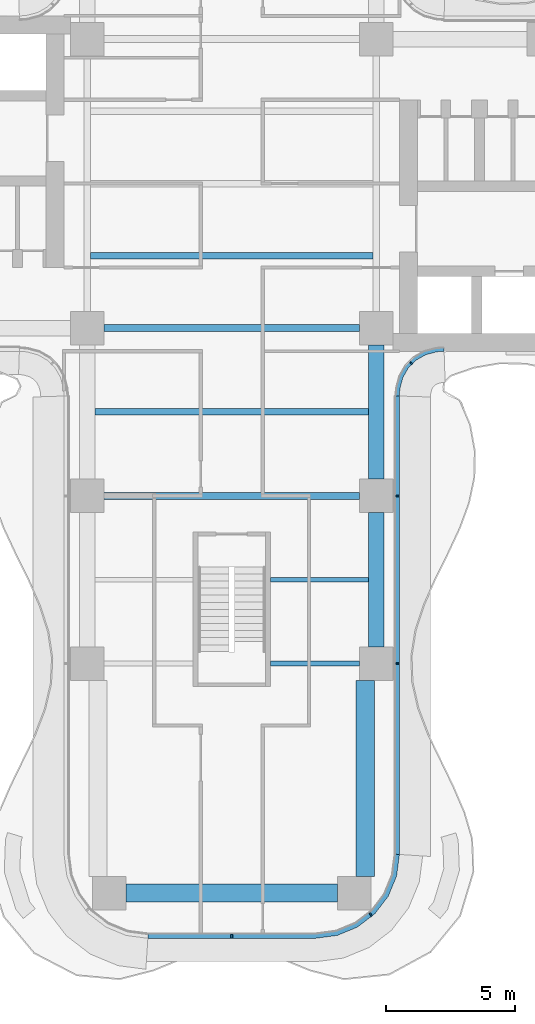
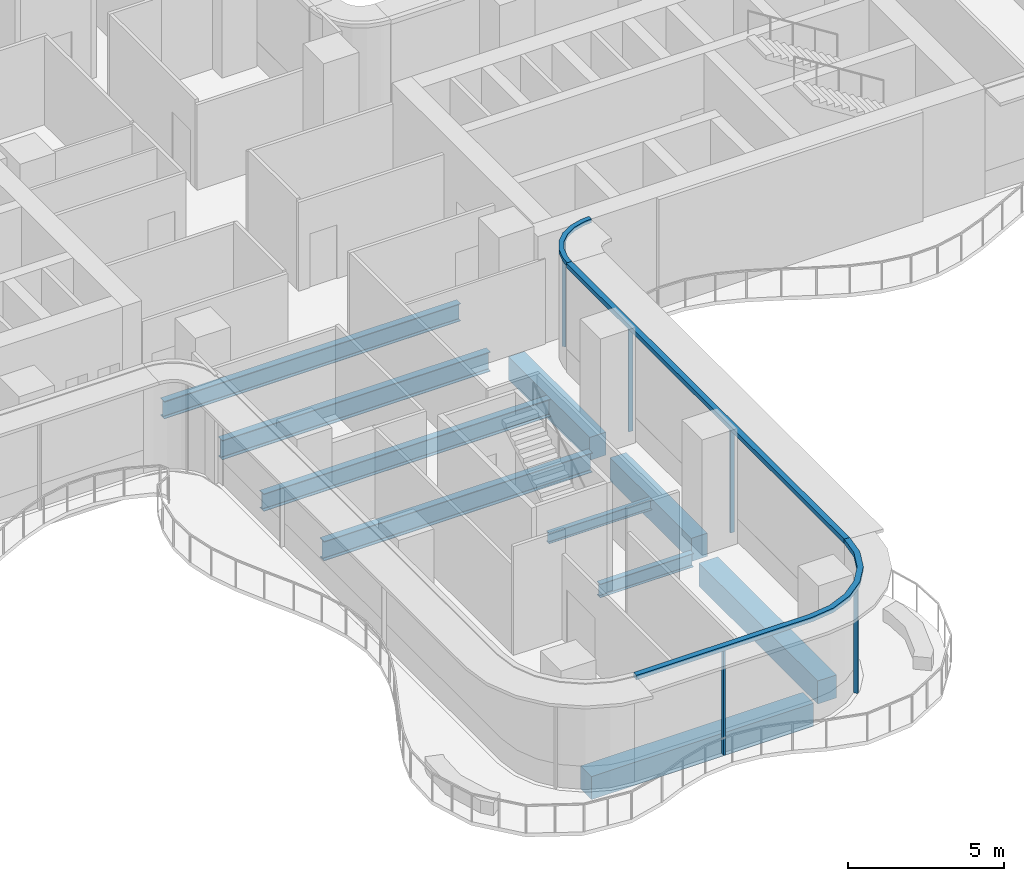
# One storey, part 5 of 21: 10 beams, 8 members, 3 elements without a shape of their own.
"""IFC4 building model written with IfcOpenShell, lengths in metres."""

from ifc_helpers import new_model, si_unit, direction, frame, origin, origin_2d, place, context, subcontext, project, spatial, polyline, rectangle, i_section, outline, extrude, source, transform, mapped, material, layer, layer_set, material_profile, profile_set, type_object, element, aggregate, save


model = new_model("IFC4")

# Units and contexts
model_context = context("Model", 3, precision=1e-05, world=origin(), true_north=direction((0.0, 1.0)))
body_context = subcontext(model_context, "Body", "Model", "MODEL_VIEW")
ifc_project = project(units=[si_unit("LENGTHUNIT", "METRE"), si_unit("AREAUNIT", "SQUARE_METRE"), si_unit("VOLUMEUNIT", "CUBIC_METRE"), si_unit("PLANEANGLEUNIT", "RADIAN"), si_unit("MASSUNIT", "GRAM", prefix="KILO")], contexts=[model_context])

# Site, building, storey
site_placement = place(None, origin())
site = spatial("IfcSite", under=ifc_project, at=site_placement, CompositionType="ELEMENT")
building_placement = place(site_placement, origin())
building = spatial("IfcBuilding", under=site, at=building_placement, Name="Trellis Farm Tower", CompositionType="ELEMENT")
storey_placement = place(building_placement, frame((0.0, 0.0, 115.5)))
storey = spatial("IfcBuildingStorey", under=building, at=storey_placement, Name="L24", CompositionType="ELEMENT", Elevation=115.5)

# Beams
ifc_material_1 = material(Name="Steel S355", Category="steel")
ifc_material_profile_1 = material_profile(ifc_material_1, i_section(OverallWidth=0.253662109375, OverallDepth=0.68359375, WebThickness=0.012451171875, FlangeThickness=0.021728515625, FilletRadius=0.01513671875, at=origin_2d()), Name="UB 686x254x140")
ifc_profile_set_1 = profile_set([ifc_material_profile_1], Name="Steel S355")
beam_type_1 = type_object("IfcBeamType", Name="UB 686x254x140 joist", PredefinedType="JOIST", material=ifc_profile_set_1)
shared_shape_1 = source(origin(), body_context, "Body", "SweptSolid", [
    extrude(i_section(OverallWidth=0.253662109375, OverallDepth=0.68359375, WebThickness=0.012451171875, FlangeThickness=0.021728515625, FilletRadius=0.01513671875, at=origin_2d()), origin(), (0.0, 0.0, 1.0), 10.93310546875),
])
beam_1_placement = place(storey_placement, frame((-5.466552734375, -2.800048828125, -0.591796875), z_axis=(1.0, 0.0, 0.0), x_axis=(0.0, 1.0, 0.0)))
element("IfcBeam", 1, at=beam_1_placement, inside=storey, type_object=beam_type_1, Name="Floor beam", PredefinedType="JOIST", context=body_context, shape_type="MappedRepresentation", body=[
    mapped(shared_shape_1, transform((0.0, 0.0, 0.0))),
])
ifc_material_profile_2 = material_profile(ifc_material_1, i_section(OverallWidth=0.177978515625, OverallDepth=0.406494140625, WebThickness=0.0078125, FlangeThickness=0.0126953125, FilletRadius=0.01025390625, at=origin_2d()), Name="UB 406x178x60")
ifc_profile_set_2 = profile_set([ifc_material_profile_2], Name="Steel S355")
beam_type_2 = type_object("IfcBeamType", Name="UB 406x178x60 joist", PredefinedType="JOIST", material=ifc_profile_set_2)
shared_shape_2 = source(origin(), body_context, "Body", "SweptSolid", [
    extrude(i_section(OverallWidth=0.177978515625, OverallDepth=0.406494140625, WebThickness=0.0078125, FlangeThickness=0.0126953125, FilletRadius=0.01025390625, at=origin_2d()), origin(), (0.0, 0.0, 1.0), 3.800048828125),
])
beam_2_placement = place(storey_placement, frame((1.5, -15.35009765625, -0.453125), z_axis=(1.0, 0.0, 0.0), x_axis=(0.0, 1.0, 0.0)))
element("IfcBeam", 2, at=beam_2_placement, inside=storey, type_object=beam_type_2, Name="Floor beam", PredefinedType="JOIST", context=body_context, shape_type="MappedRepresentation", body=[
    mapped(shared_shape_2, transform((0.0, 0.0, 0.0))),
])
shared_shape_3 = source(origin(), body_context, "Body", "SweptSolid", [
    extrude(i_section(OverallWidth=0.253662109375, OverallDepth=0.68359375, WebThickness=0.012451171875, FlangeThickness=0.021728515625, FilletRadius=0.01513671875, at=origin_2d()), origin(), (0.0, 0.0, 1.0), 10.60009765625),
])
beam_3_placement = place(storey_placement, frame((-5.300048828125, -8.85009765625, -0.591796875), z_axis=(1.0, 0.0, 0.0), x_axis=(0.0, 1.0, 0.0)))
element("IfcBeam", 3, at=beam_3_placement, inside=storey, type_object=beam_type_1, Name="Floor beam", PredefinedType="JOIST", context=body_context, shape_type="MappedRepresentation", body=[
    mapped(shared_shape_3, transform((0.0, 0.0, 0.0))),
])
ifc_material_profile_3 = material_profile(ifc_material_1, i_section(OverallWidth=0.209228515625, OverallDepth=0.533203125, WebThickness=0.010009765625, FlangeThickness=0.015625, FilletRadius=0.0126953125, at=origin_2d()), Name="UB 533x210x92")
ifc_profile_set_3 = profile_set([ifc_material_profile_3], Name="Steel S355")
beam_type_3 = type_object("IfcBeamType", Name="UB 533x210x92", PredefinedType="BEAM", material=ifc_profile_set_3)
shared_shape_4 = source(origin(), body_context, "Body", "SweptSolid", [
    extrude(i_section(OverallWidth=0.209228515625, OverallDepth=0.533203125, WebThickness=0.010009765625, FlangeThickness=0.015625, FilletRadius=0.0126953125, at=origin_2d()), origin(), (0.0, 0.0, 1.0), 3.449951171875),
])
beam_4_placement = place(storey_placement, frame((1.5, -18.60009765625, -0.5166015625), z_axis=(1.0, 0.0, 0.0), x_axis=(0.0, 1.0, 0.0)))
element("IfcBeam", 4, at=beam_4_placement, inside=storey, type_object=beam_type_3, Name="Girder", PredefinedType="BEAM", context=body_context, shape_type="MappedRepresentation", body=[
    mapped(shared_shape_4, transform((0.0, 0.0, 0.0))),
])
ifc_material_profile_4 = material_profile(ifc_material_1, i_section(OverallWidth=0.2666015625, OverallDepth=0.76220703125, WebThickness=0.014404296875, FlangeThickness=0.021484375, FilletRadius=0.0166015625, at=origin_2d()), Name="UB 762x267x173")
ifc_profile_set_4 = profile_set([ifc_material_profile_4], Name="Steel S355")
beam_type_4 = type_object("IfcBeamType", Name="UB 762x267x173", PredefinedType="BEAM", material=ifc_profile_set_4)
shared_shape_5 = source(origin(), body_context, "Body", "SweptSolid", [
    extrude(i_section(OverallWidth=0.2666015625, OverallDepth=0.76220703125, WebThickness=0.014404296875, FlangeThickness=0.021484375, FilletRadius=0.0166015625, at=origin_2d()), origin(), (0.0, 0.0, 1.0), 9.89990234375),
])
for number, where, z_axis, x_axis, name in (
    (5, (-4.949951171875, -12.10009765625, -0.631103515625), (1.0, 0.0, 0.0), (0.0, 1.0, 0.0), "Girder"),
    (6, (-4.949951171875, -5.60009765625, -0.631103515625), (1.0, 0.0, 0.0), (0.0, 1.0, 0.0), "Girder"),
):
    element("IfcBeam", number, at=place(storey_placement, frame(where, z_axis=z_axis, x_axis=x_axis)), inside=storey, type_object=beam_type_4, Name=name, PredefinedType="BEAM", context=body_context, shape_type="MappedRepresentation", body=[
        mapped(shared_shape_5, transform((0.0, 0.0, 0.0))),
    ])
ifc_material_2 = material(Name="Concrete C60/75", Category="concrete")
ifc_material_profile_5 = material_profile(ifc_material_2, rectangle(XDim=0.60009765625, YDim=0.89990234375, at=origin_2d()), Name="RC spandrel beam 600x900 C60/75")
ifc_profile_set_5 = profile_set([ifc_material_profile_5], Name="Concrete C60/75")
beam_type_5 = type_object("IfcBeamType", Name="RC spandrel beam 600x900 C60/75", PredefinedType="SPANDREL", material=ifc_profile_set_5)
shared_shape_6 = source(origin(), body_context, "Body", "SweptSolid", [
    extrude(rectangle(XDim=0.60009765625, YDim=0.89990234375, at=origin_2d()), origin(), (0.0, 0.0, 1.0), 5.199951171875),
])
for number, where, z_axis, x_axis, name in (
    (7, (5.60009765625, -17.949951171875, -0.699951171875), (0.0, 1.0, 0.0), (-1.0, 0.0, 0.0), "Girder"),
    (8, (5.60009765625, -11.449951171875, -0.699951171875), (0.0, 1.0, 0.0), (-1.0, 0.0, 0.0), "Girder"),
):
    element("IfcBeam", number, at=place(storey_placement, frame(where, z_axis=z_axis, x_axis=x_axis)), inside=storey, type_object=beam_type_5, Name=name, PredefinedType="SPANDREL", context=body_context, shape_type="MappedRepresentation", body=[
        mapped(shared_shape_6, transform((0.0, 0.0, 0.0))),
    ])
ifc_material_profile_6 = material_profile(ifc_material_2, rectangle(XDim=0.699951171875, YDim=0.89990234375, at=origin_2d()), Name="RC spandrel beam 700x900 C60/75")
ifc_profile_set_6 = profile_set([ifc_material_profile_6], Name="Concrete C60/75")
beam_type_6 = type_object("IfcBeamType", Name="RC spandrel beam 700x900 C60/75", PredefinedType="SPANDREL", material=ifc_profile_set_6)
shared_shape_7 = source(origin(), body_context, "Body", "SweptSolid", [
    extrude(rectangle(XDim=0.699951171875, YDim=0.89990234375, at=origin_2d()), origin(), (0.0, 0.0, 1.0), 8.2001953125),
])
beam_5_placement = place(storey_placement, frame((-4.10009765625, -27.5, -0.699951171875), z_axis=(1.0, 0.0, 0.0), x_axis=(0.0, 1.0, 0.0)))
element("IfcBeam", 9, at=beam_5_placement, inside=storey, type_object=beam_type_6, Name="Girder", PredefinedType="SPANDREL", context=body_context, shape_type="MappedRepresentation", body=[
    mapped(shared_shape_7, transform((0.0, 0.0, 0.0))),
])
shared_shape_8 = source(origin(), body_context, "Body", "SweptSolid", [
    extrude(rectangle(XDim=0.699951171875, YDim=0.89990234375, at=origin_2d()), origin(), (0.0, 0.0, 1.0), 7.60009765625),
])
beam_6_placement = place(storey_placement, frame((5.175048828125, -26.85009765625, -0.699951171875), z_axis=(0.0, 1.0, 0.0), x_axis=(-1.0, 0.0, 0.0)))
element("IfcBeam", 10, at=beam_6_placement, inside=storey, type_object=beam_type_6, Name="Girder", PredefinedType="SPANDREL", context=body_context, shape_type="MappedRepresentation", body=[
    mapped(shared_shape_8, transform((0.0, 0.0, 0.0))),
])

# Curtain wall, members
ifc_material_3 = material(Name="Aluminium and glass curtain wall", Category="aluminium")
ifc_layer_1 = layer(ifc_material_3, 0.18994140625)
ifc_layer_set_1 = layer_set([ifc_layer_1], Name="RIBBON CURTAIN WALL CW1")
curtain_wall_type_1 = type_object("IfcCurtainWallType", Name="RIBBON CURTAIN WALL CW1", PredefinedType="NOTDEFINED", material=ifc_layer_set_1)
placement_1 = place(storey_placement, origin())
curtain_wall_1 = element("IfcCurtainWall", 11, at=placement_1, inside=storey, type_object=curtain_wall_type_1, Name="CW1 003", PredefinedType="NOTDEFINED")
ifc_material_4 = material(Name="Aluminium extrusion 6063-T6", Category="aluminium")
ifc_material_profile_7 = material_profile(ifc_material_4, rectangle(XDim=0.06005859375, YDim=0.14990234375, at=origin_2d()), Name="MULLION 60x150")
ifc_profile_set_7 = profile_set([ifc_material_profile_7], Name="Aluminium extrusion 6063-T6")
member_type_1 = type_object("IfcMemberType", Name="CW1 MULLION 60x150", PredefinedType="MULLION", material=ifc_profile_set_7)
shared_shape_9 = source(origin(), body_context, "Body", "SweptSolid", [
    extrude(rectangle(XDim=0.06005859375, YDim=0.14990234375, at=origin_2d()), origin(), (0.0, 0.0, 1.0), 4.070068359375),
])
member_1_placement = place(storey_placement, frame((0.0, -29.175048828125, 0.0), z_axis=(0.0, 0.0, 1.0), x_axis=(1.0, 0.0, 0.0)))
member_1 = element("IfcMember", 12, at=member_1_placement, type_object=member_type_1, Name="MU1 003-01", PredefinedType="MULLION", context=body_context, shape_type="MappedRepresentation", body=[
    mapped(shared_shape_9, transform((0.0, 0.0, 0.0))),
])
member_2_placement = place(storey_placement, frame((5.385498046875, -28.328369140625, 0.0), z_axis=(0.0, 0.0, 1.0), x_axis=(0.793353340291, 0.608761429009, 0.0)))
member_2 = element("IfcMember", 13, at=member_2_placement, type_object=member_type_1, Name="MU1 003-02", PredefinedType="MULLION", context=body_context, shape_type="MappedRepresentation", body=[
    mapped(shared_shape_9, transform((0.0, 0.0, 0.0))),
])

curtain_wall_2 = element("IfcCurtainWall", 14, at=placement_1, inside=storey, type_object=curtain_wall_type_1, Name="CW1 004", PredefinedType="NOTDEFINED")
member_3_placement = place(storey_placement, frame((6.425048828125, -18.60009765625, 0.0), z_axis=(0.0, 0.0, 1.0), x_axis=(0.0, 1.0, 0.0)))
member_3 = element("IfcMember", 15, at=member_3_placement, type_object=member_type_1, Name="MU1 004-01", PredefinedType="MULLION", context=body_context, shape_type="MappedRepresentation", body=[
    mapped(shared_shape_9, transform((0.0, 0.0, 0.0))),
])
member_4_placement = place(storey_placement, frame((6.425048828125, -12.10009765625, 0.0), z_axis=(0.0, 0.0, 1.0), x_axis=(0.0, 1.0, 0.0)))
member_4 = element("IfcMember", 16, at=member_4_placement, type_object=member_type_1, Name="MU1 004-02", PredefinedType="MULLION", context=body_context, shape_type="MappedRepresentation", body=[
    mapped(shared_shape_9, transform((0.0, 0.0, 0.0))),
])

# Curtain wall, member
ifc_layer_2 = layer(ifc_material_3, 0.166015625)
ifc_layer_set_2 = layer_set([ifc_layer_2], Name="WINTER GARDEN CURTAIN WALL CW3")
curtain_wall_type_2 = type_object("IfcCurtainWallType", Name="WINTER GARDEN CURTAIN WALL CW3", PredefinedType="NOTDEFINED", material=ifc_layer_set_2)
curtain_wall_3 = element("IfcCurtainWall", 17, at=placement_1, inside=storey, type_object=curtain_wall_type_2, Name="CW3 002", PredefinedType="NOTDEFINED")
ifc_material_profile_8 = material_profile(ifc_material_4, rectangle(XDim=0.050048828125, YDim=0.1201171875, at=origin_2d()), Name="MULLION 50x120")
ifc_profile_set_8 = profile_set([ifc_material_profile_8], Name="Aluminium extrusion 6063-T6")
member_type_2 = type_object("IfcMemberType", Name="CW3 MULLION 50x120", PredefinedType="MULLION", material=ifc_profile_set_8)
shared_shape_10 = source(origin(), body_context, "Body", "SweptSolid", [
    extrude(rectangle(XDim=0.050048828125, YDim=0.1201171875, at=origin_2d()), origin(), (0.0, 0.0, 1.0), 4.10009765625),
])
member_5_placement = place(storey_placement, frame((6.953125, -6.953125, 0.0), z_axis=(0.0, 0.0, 1.0), x_axis=(0.707106781187, 0.707106781187, 0.0)))
member_5 = element("IfcMember", 18, at=member_5_placement, type_object=member_type_2, Name="MU3 002-01", PredefinedType="MULLION", context=body_context, shape_type="MappedRepresentation", body=[
    mapped(shared_shape_10, transform((0.0, 0.0, 0.0))),
])

# Member
ifc_layer_3 = layer(ifc_material_4, 0.199951171875)
ifc_layer_set_3 = layer_set([ifc_layer_3], Name="Aluminium extrusion 6063-T6")
member_type_3 = type_object("IfcMemberType", Name="CW1 TRANSOM 200x180", PredefinedType="USERDEFINED", material=ifc_layer_set_3)
shared_shape_11 = source(origin(), body_context, "Body", "SweptSolid", [
    extrude(outline(polyline([(-3.25, -29.25), (3.25, -29.25), (4.091064453125, -29.13916015625), (4.875, -28.814697265625), (5.548095703125, -28.298095703125), (6.064697265625, -27.625), (6.38916015625, -26.841064453125), (6.5, -26.0), (6.300048828125, -25.98681640625), (6.1943359375, -26.7890625), (5.889892578125, -27.524169921875), (5.405517578125, -28.155517578125), (4.774169921875, -28.639892578125), (4.0390625, -28.9443359375), (3.23681640625, -29.050048828125), (-3.23681640625, -29.050048828125), (-3.25, -29.25)])), origin(), (0.0, 0.0, 1.0), 0.179931640625),
])
placement_2 = place(storey_placement, frame((0.0, 0.0, 4.070068359375)))
member_6 = element("IfcMember", 19, at=placement_2, type_object=member_type_3, Name="TR1 003", ObjectType="TRANSOM", PredefinedType="USERDEFINED", context=body_context, shape_type="MappedRepresentation", body=[
    mapped(shared_shape_11, transform((0.0, 0.0, 0.0))),
])

aggregate(curtain_wall_1, [member_1, member_2, member_6])

shared_shape_12 = source(origin(), body_context, "Body", "SweptSolid", [
    extrude(outline(polyline([(6.5, -26.0), (6.5, -8.2314453125), (6.300048828125, -8.224853515625), (6.300048828125, -25.98681640625), (6.5, -26.0)])), origin(), (0.0, 0.0, 1.0), 0.179931640625),
])
member_7 = element("IfcMember", 20, at=placement_2, type_object=member_type_3, Name="TR1 004", ObjectType="TRANSOM", PredefinedType="USERDEFINED", context=body_context, shape_type="MappedRepresentation", body=[
    mapped(shared_shape_12, transform((0.0, 0.0, 0.0))),
])

aggregate(curtain_wall_2, [member_3, member_4, member_7])

ifc_layer_4 = layer(ifc_material_4, 0.169921875)
ifc_layer_set_4 = layer_set([ifc_layer_4], Name="Aluminium extrusion 6063-T6")
member_type_4 = type_object("IfcMemberType", Name="CW3 TRANSOM 170x150", PredefinedType="USERDEFINED", material=ifc_layer_set_4)
shared_shape_13 = source(origin(), body_context, "Body", "SweptSolid", [
    extrude(outline(polyline([(6.5, -8.2314453125), (6.513916015625, -8.01953125), (6.527587890625, -7.91552734375), (6.63671875, -7.508544921875), (6.846923828125, -7.144287109375), (7.144287109375, -6.846923828125), (7.508544921875, -6.63671875), (7.91552734375, -6.527587890625), (8.01953125, -6.513916015625), (8.2314453125, -6.5), (8.225830078125, -6.330078125), (8.0029296875, -6.3447265625), (7.88232421875, -6.360595703125), (7.44287109375, -6.478271484375), (7.0400390625, -6.7109375), (6.7109375, -7.0400390625), (6.478271484375, -7.44287109375), (6.360595703125, -7.88232421875), (6.3447265625, -8.0029296875), (6.330078125, -8.225830078125), (6.5, -8.2314453125)])), origin(), (0.0, 0.0, 1.0), 0.14990234375),
])
member_8_placement = place(storey_placement, frame((0.0, 0.0, 4.10009765625)))
member_8 = element("IfcMember", 21, at=member_8_placement, type_object=member_type_4, Name="TR3 002", ObjectType="TRANSOM", PredefinedType="USERDEFINED", context=body_context, shape_type="MappedRepresentation", body=[
    mapped(shared_shape_13, transform((0.0, 0.0, 0.0))),
])

aggregate(curtain_wall_3, [member_5, member_8])

save(model, "model.ifc")
